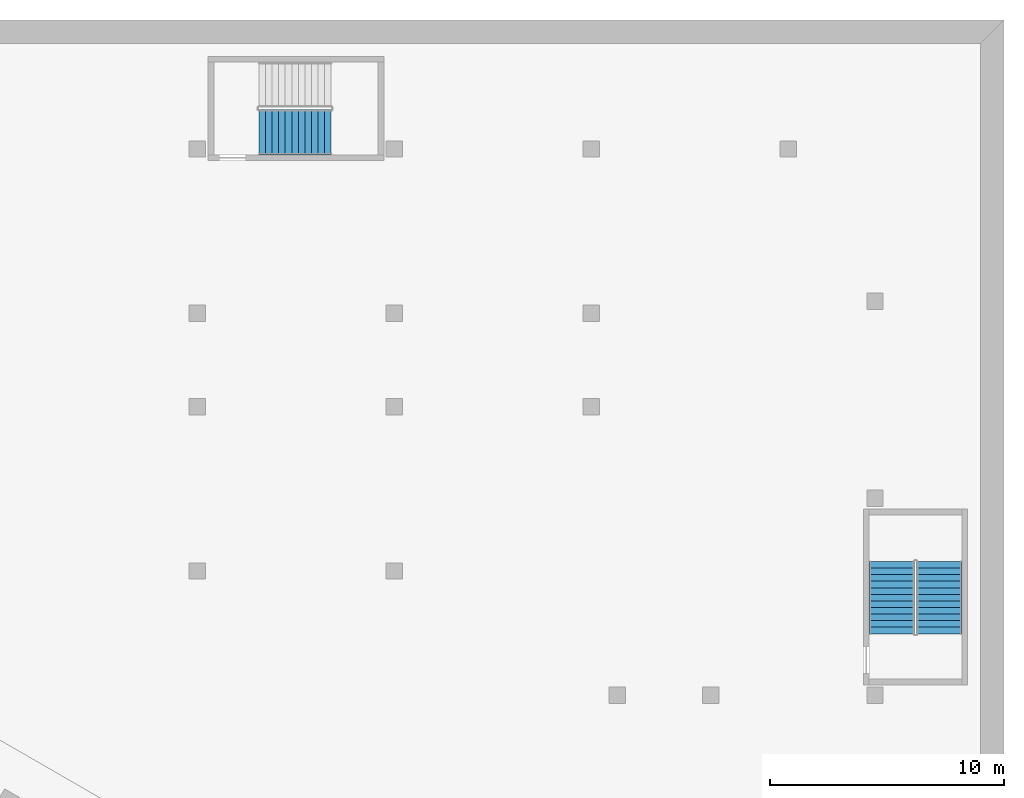
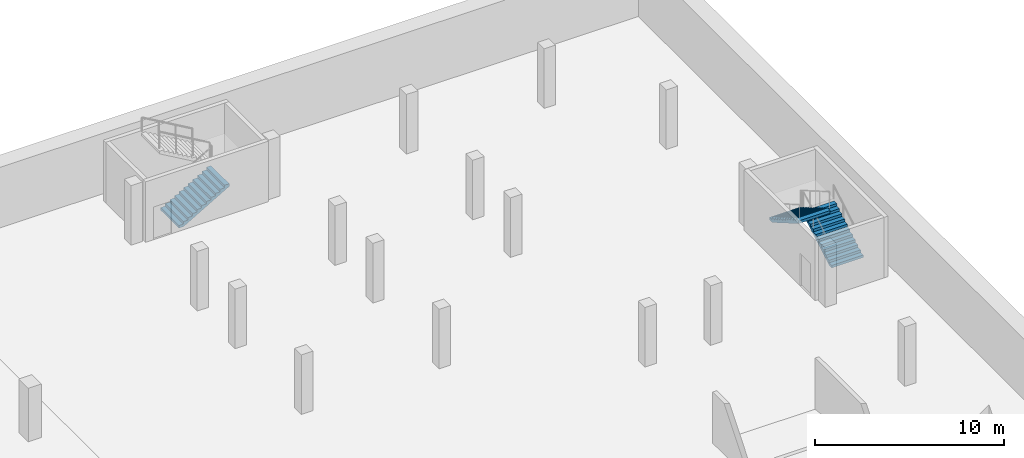
# One storey, part 17 of 25: 3 stair flights, 2 elements without a shape of their own.
"""IFC4 building model written with IfcOpenShell, lengths in metres."""

import ifcopenshell
import ifcopenshell.guid

model = None  # the IFC model being written
_history = None  # IfcOwnerHistory: only IFC2X3 demands one
_inside = {}  # id of a spatial element -> (the spatial element, [elements in it])
_under = {}  # id of a project, library or spatial element -> (it, [spatial elements below it])
_declared = {}  # id of a project -> (the project, [libraries it declares])
_typed = {}  # id of a type object -> (the type object, [elements of that type])
_made_of = {}  # id of a material, layer set ... -> (it, [elements and type objects made of it])


def new_model(schema):
    """Start an empty IFC model of exactly this schema.

    Asked for "IFC4X3", IfcOpenShell would pick the latest addendum, in which some entities
    have other attributes; the version numbers below select the first issue.
    IFC2X3 requires an IfcOwnerHistory on every rooted entity: one is made here for all.
    """
    global model, _history
    if schema == "IFC4X3":
        model = ifcopenshell.file(schema_version=(4, 3, 0, 0))
    else:
        model = ifcopenshell.file(schema=schema)
    _inside.clear()
    _under.clear()
    _declared.clear()
    _typed.clear()
    _made_of.clear()
    _history = None
    if model.schema == "IFC2X3":
        org = make("IfcOrganization", Name="unknown")
        user = make(
            "IfcPersonAndOrganization",
            ThePerson=make("IfcPerson", FamilyName="unknown"),
            TheOrganization=org,
        )
        app = make(
            "IfcApplication",
            ApplicationDeveloper=org,
            Version="unknown",
            ApplicationFullName="unknown",
            ApplicationIdentifier="unknown",
        )
        _history = make(
            "IfcOwnerHistory",
            OwningUser=user,
            OwningApplication=app,
            ChangeAction="ADDED",
            CreationDate=0,
        )
    return model


def make(cls, **values):
    """One entity of the class cls with the attributes given. An attribute that is None is left unset."""
    return model.create_entity(
        cls, **{name: value for name, value in values.items() if value is not None}
    )


def rooted(cls, **values):
    """An entity with a GlobalId (a new one), such as an element, a storey or a relation."""
    return make(cls, GlobalId=ifcopenshell.guid.new(), OwnerHistory=_history, **values)


def si_unit(unit_type, name, prefix=None):
    """IfcSIUnit, for example si_unit("LENGTHUNIT", "METRE", prefix="MILLI")."""
    return make("IfcSIUnit", UnitType=unit_type, Prefix=prefix, Name=name)


def assignment(units):
    """IfcUnitAssignment: the units of a project."""
    return None if units is None else make("IfcUnitAssignment", Units=units)


def point(xyz):
    """IfcCartesianPoint."""
    return None if xyz is None else make("IfcCartesianPoint", Coordinates=xyz)


def direction(xyz):
    """IfcDirection."""
    return None if xyz is None else make("IfcDirection", DirectionRatios=xyz)


def frame(location, z_axis=None, x_axis=None):
    """IfcAxis2Placement3D, a coordinate frame: its origin and axes. An axis left out is left unset."""
    return make(
        "IfcAxis2Placement3D",
        Location=point(location),
        Axis=direction(z_axis),
        RefDirection=direction(x_axis),
    )


def origin():
    """The frame at (0, 0, 0) with its axes left unset."""
    return frame((0.0, 0.0, 0.0))


def place(relative_to, where):
    """IfcLocalPlacement: puts the frame where relative to a parent placement (None: the world)."""
    return make(
        "IfcLocalPlacement", PlacementRelTo=relative_to, RelativePlacement=where
    )


def context(
    kind, dimensions, precision=None, world=None, true_north=None, identifier=None
):
    """IfcGeometricRepresentationContext, for example the 3D "Model" context."""
    return make(
        "IfcGeometricRepresentationContext",
        ContextIdentifier=identifier,
        ContextType=kind,
        CoordinateSpaceDimension=dimensions,
        Precision=precision,
        WorldCoordinateSystem=world,
        TrueNorth=true_north,
    )


def subcontext(parent, identifier, kind, view, scale=None):
    """IfcGeometricRepresentationSubContext, for example "Body" below "Model"."""
    return make(
        "IfcGeometricRepresentationSubContext",
        ContextIdentifier=identifier,
        ContextType=kind,
        ParentContext=parent,
        TargetScale=scale,
        TargetView=view,
    )


def project(units=None, contexts=None):
    """IfcProject with its units and contexts."""
    return rooted(
        "IfcProject",
        Name="project",
        RepresentationContexts=contexts,
        UnitsInContext=assignment(units),
    )


def spatial(cls, under=None, at=None, **own):
    """A site, building, storey or space (cls), placed at a placement, below another one or the project."""
    s = rooted(cls, ObjectPlacement=at, **own)
    if under is not None:
        _under.setdefault(under.id(), (under, []))[1].append(s)
    return s


def point_list(points):
    """IfcCartesianPointList2D or 3D."""
    cls = (
        "IfcCartesianPointList2D" if len(points[0]) == 2 else "IfcCartesianPointList3D"
    )
    return make(cls, CoordList=points)


def triangles(points, corners, closed=None, point_numbers=None):
    """IfcTriangulatedFaceSet: each triangle names its three corners, points numbered from 1."""
    return make(
        "IfcTriangulatedFaceSet",
        Coordinates=point_list(points),
        Closed=closed,
        CoordIndex=corners,
        PnIndex=point_numbers,
    )


def shape(context_of_items, identifier, shape_type, items):
    """IfcShapeRepresentation: the items that make up one representation, for example the "Body"."""
    return make(
        "IfcShapeRepresentation",
        ContextOfItems=context_of_items,
        RepresentationIdentifier=identifier,
        RepresentationType=shape_type,
        Items=items,
    )


def material(Name=None, Category=None):
    """IfcMaterial."""
    return make("IfcMaterial", Name=Name, Category=Category)


def made_of(thing, what):
    """Note that an element or type object is made of a material, layer set ...; save() writes the relation."""
    if what is not None:
        _made_of.setdefault(what.id(), (what, []))[1].append(thing)
    return thing


def type_object(cls, material=None, **own):
    """A type object (cls), such as IfcWallType, which elements share."""
    return made_of(rooted(cls, **own), material)


def element(
    cls,
    number,
    at=None,
    inside=None,
    cuts=None,
    type_object=None,
    material=None,
    context=None,
    identifier="Body",
    shape_type=None,
    held_by="IfcProductDefinitionShape",
    body=None,
    shapes=None,
    **own,
):
    """One element of the class cls, such as IfcWall. Its Tag is "e" and its number.

    at: its placement. inside: the storey or other place that contains it. cuts: it is an
    opening in that element (IfcRelVoidsElement). A single representation is given by context,
    identifier, shape_type and body (its items); several are given by shapes. held_by: the class
    of the entity that holds the representations. save() writes the other relations.
    """
    e = rooted(cls, Tag="e%d" % number, ObjectPlacement=at, **own)
    if body is not None:
        shapes = [shape(context, identifier, shape_type, body)]
    if shapes is not None:
        e.Representation = make(held_by, Representations=shapes)
    if inside is not None:
        _inside.setdefault(inside.id(), (inside, []))[1].append(e)
    if cuts is not None:
        rooted(
            "IfcRelVoidsElement", RelatingBuildingElement=cuts, RelatedOpeningElement=e
        )
    if type_object is not None:
        _typed.setdefault(type_object.id(), (type_object, []))[1].append(e)
    return made_of(e, material)


def aggregate(whole, parts):
    """IfcRelAggregates: a whole, such as a stair, and the parts it consists of."""
    return rooted("IfcRelAggregates", RelatingObject=whole, RelatedObjects=parts)


def save(model, path):
    """Write the relations noted so far, then the file.

    IfcRelAggregates (storeys below a building ...), IfcRelContainedInSpatialStructure (elements
    in a storey), IfcRelDefinesByType, IfcRelAssociatesMaterial and IfcRelDeclares: one each for
    every whole, place, type object, material and project.
    """
    for whole, parts in _under.values():
        aggregate(whole, parts)
    for where, things in _inside.values():
        rooted(
            "IfcRelContainedInSpatialStructure",
            RelatedElements=things,
            RelatingStructure=where,
        )
    for kind, things in _typed.values():
        rooted("IfcRelDefinesByType", RelatedObjects=things, RelatingType=kind)
    for what, things in _made_of.values():
        rooted("IfcRelAssociatesMaterial", RelatedObjects=things, RelatingMaterial=what)
    for by, libraries in _declared.values():
        rooted("IfcRelDeclares", RelatingContext=by, RelatedDefinitions=libraries)
    model.write(path)


model = new_model("IFC4")

# Units and contexts
model_context = context("Model", 3, precision=1e-05, world=origin(), true_north=direction((0.0, 1.0)))
body_context = subcontext(model_context, "Body", "Model", "MODEL_VIEW")
ifc_project = project(units=[si_unit("LENGTHUNIT", "METRE"), si_unit("AREAUNIT", "SQUARE_METRE"), si_unit("VOLUMEUNIT", "CUBIC_METRE"), si_unit("PLANEANGLEUNIT", "RADIAN"), si_unit("MASSUNIT", "GRAM", prefix="KILO")], contexts=[model_context])

# Site, building, storey
site_placement = place(None, origin())
site = spatial("IfcSite", under=ifc_project, at=site_placement, CompositionType="ELEMENT")
building_placement = place(site_placement, origin())
building = spatial("IfcBuilding", under=site, at=building_placement, Name="Verdalira Terraces Hotel", CompositionType="ELEMENT")
storey_placement = place(building_placement, frame((0.0, 0.0, -3.899902)))
storey = spatial("IfcBuildingStorey", under=building, at=storey_placement, Name="B1", CompositionType="ELEMENT", Elevation=-3.89990234375)

# Stair, stair flight
ifc_material_1 = material(Name="Concrete C40", Category="concrete")
stair_type = type_object("IfcStairType", Name="Car park stair 24 risers", PredefinedType="HALF_TURN_STAIR", material=ifc_material_1)
stair_1_placement = place(storey_placement, origin())
stair_1 = element("IfcStair", 1, at=stair_1_placement, inside=storey, type_object=stair_type, Name="B1 Exit stair Basement stair 3", PredefinedType="HALF_TURN_STAIR")
ifc_material_2 = material(Name="Concrete C40", Category="concrete")
stair_flight_type = type_object("IfcStairFlightType", Name="Car park stair flight 24 risers", PredefinedType="STRAIGHT", material=ifc_material_2)
stair_flight_1_placement = place(storey_placement, frame((22.225098, 49.212402, 0.0), z_axis=(0.0, 0.0, 1.0), x_axis=(1.0, 0.0, 0.0)))
stair_flight_1 = element("IfcStairFlight", 2, at=stair_flight_1_placement, type_object=stair_flight_type, Name="Basement stair 3 flight 1", NumberOfRisers=12, NumberOfTreads=11, PredefinedType="STRAIGHT", RiserHeight=0.1625, TreadLength=0.28, context=body_context, shape_type="Tessellation", body=[
    triangles([(0.0, 0.962524, 0.0), (0.298584, 0.962524, 0.0), (3.080078, 0.962524, 1.614258), (0.0, -0.962524, 0.0), (0.298584, -0.962524, 0.0), (3.080078, -0.962524, 1.614258), (3.080078, 0.962524, 1.787598), (2.800049, 0.962524, 1.787598), (3.080078, -0.962524, 1.787598), (2.800049, -0.962524, 1.787598), (2.800049, 0.962524, 1.625), (2.800049, -0.962524, 1.625), (2.52002, 0.962524, 1.625), (2.52002, -0.962524, 1.625), (2.52002, 0.962524, 1.462402), (2.52002, -0.962524, 1.462402), (2.23999, 0.962524, 1.462402), (2.23999, 0.962524, 1.300049), (2.23999, -0.962524, 1.462402), (2.23999, -0.962524, 1.300049), (1.959961, 0.962524, 1.300049), (1.959961, 0.962524, 1.137451), (1.959961, -0.962524, 1.300049), (1.959961, -0.962524, 1.137451), (1.679932, 0.962524, 1.137451), (1.679932, 0.962524, 0.975098), (1.679932, -0.962524, 1.137451), (1.679932, -0.962524, 0.975098), (1.399902, 0.962524, 0.975098), (1.399902, 0.962524, 0.8125), (1.399902, -0.962524, 0.975098), (1.399902, -0.962524, 0.8125), (1.120117, 0.962524, 0.8125), (1.120117, 0.962524, 0.649902), (1.120117, -0.962524, 0.8125), (1.120117, -0.962524, 0.649902), (0.840088, 0.962524, 0.649902), (0.840088, 0.962524, 0.487549), (0.840088, -0.962524, 0.649902), (0.840088, -0.962524, 0.487549), (0.560059, 0.962524, 0.487549), (0.560059, 0.962524, 0.324951), (0.560059, -0.962524, 0.487549), (0.560059, -0.962524, 0.324951), (0.280029, 0.962524, 0.324951), (0.280029, 0.962524, 0.162598), (0.280029, -0.962524, 0.324951), (0.280029, -0.962524, 0.162598), (0.0, 0.962524, 0.162598), (0.0, -0.962524, 0.162598), (0.0, -0.902367, 0.0), (0.0, -0.902367, 0.162598), (0.0, -0.842209, 0.0), (0.0, -0.842209, 0.162598), (0.0, -0.782051, 0.0), (0.0, -0.782051, 0.162598), (0.0, -0.721893, 0.0), (0.0, -0.721893, 0.162598), (0.0, -0.661736, 0.0), (0.0, -0.661736, 0.162598), (0.0, -0.601578, 0.0), (0.0, -0.601578, 0.162598), (0.0, -0.54142, 0.0), (0.0, -0.54142, 0.162598), (0.0, -0.481262, 0.0), (0.0, -0.481262, 0.162598), (0.0, -0.421104, 0.0), (0.0, -0.421104, 0.162598), (0.0, -0.360947, 0.0), (0.0, -0.360947, 0.162598), (0.0, -0.300789, 0.0), (0.0, -0.300789, 0.162598), (0.0, -0.240631, 0.0), (0.0, -0.240631, 0.162598), (0.0, -0.180473, 0.0), (0.0, -0.180473, 0.162598), (0.0, -0.120316, 0.0), (0.0, -0.120316, 0.162598), (0.0, -0.060158, 0.0), (0.0, -0.060158, 0.162598), (0.0, 0.0, 0.0), (0.0, 0.0, 0.162598), (0.0, 0.060158, 0.0), (0.0, 0.060158, 0.162598), (0.0, 0.120316, 0.0), (0.0, 0.120316, 0.162598), (0.0, 0.180473, 0.0), (0.0, 0.180473, 0.162598), (0.0, 0.240631, 0.0), (0.0, 0.240631, 0.162598), (0.0, 0.300789, 0.0), (0.0, 0.300789, 0.162598), (0.0, 0.360947, 0.0), (0.0, 0.360947, 0.162598), (0.0, 0.421104, 0.0), (0.0, 0.421104, 0.162598), (0.0, 0.481262, 0.0), (0.0, 0.481262, 0.162598), (0.0, 0.54142, 0.0), (0.0, 0.54142, 0.162598), (0.0, 0.601578, 0.0), (0.0, 0.601578, 0.162598), (0.0, 0.661736, 0.0), (0.0, 0.661736, 0.162598), (0.0, 0.721893, 0.0), (0.0, 0.721893, 0.162598), (0.0, 0.782051, 0.0), (0.0, 0.782051, 0.162598), (0.0, 0.842209, 0.0), (0.0, 0.842209, 0.162598), (0.0, 0.902367, 0.0), (0.0, 0.902367, 0.162598), (3.080078, -0.902367, 1.787598), (3.080078, -0.842209, 1.787598), (3.080078, -0.782051, 1.787598), (3.080078, -0.721893, 1.787598), (3.080078, -0.661736, 1.787598), (3.080078, -0.601578, 1.787598), (3.080078, -0.54142, 1.787598), (3.080078, -0.481262, 1.787598), (3.080078, -0.421104, 1.787598), (3.080078, -0.360947, 1.787598), (3.080078, -0.300789, 1.787598), (3.080078, -0.240631, 1.787598), (3.080078, -0.180473, 1.787598), (3.080078, -0.120316, 1.787598), (3.080078, -0.060158, 1.787598), (3.080078, 0.0, 1.787598), (3.080078, 0.060158, 1.787598), (3.080078, 0.120316, 1.787598), (3.080078, 0.180473, 1.787598), (3.080078, 0.240631, 1.787598), (3.080078, 0.300789, 1.787598), (3.080078, 0.360947, 1.787598), (3.080078, 0.421104, 1.787598), (3.080078, 0.481262, 1.787598), (3.080078, 0.54142, 1.787598), (3.080078, 0.601578, 1.787598), (3.080078, 0.661736, 1.787598), (3.080078, 0.721893, 1.787598), (3.080078, 0.782051, 1.787598), (3.080078, 0.842209, 1.787598), (3.080078, 0.902367, 1.787598), (3.080078, -0.902367, 1.614258), (3.080078, -0.842209, 1.614258), (3.080078, -0.782051, 1.614258), (3.080078, -0.721893, 1.614258), (3.080078, -0.661736, 1.614258), (3.080078, -0.601578, 1.614258), (3.080078, -0.54142, 1.614258), (3.080078, -0.481262, 1.614258), (3.080078, -0.421104, 1.614258), (3.080078, -0.360947, 1.614258), (3.080078, -0.300789, 1.614258), (3.080078, -0.240631, 1.614258), (3.080078, -0.180473, 1.614258), (3.080078, -0.120316, 1.614258), (3.080078, -0.060158, 1.614258), (3.080078, 0.0, 1.614258), (3.080078, 0.060158, 1.614258), (3.080078, 0.120316, 1.614258), (3.080078, 0.180473, 1.614258), (3.080078, 0.240631, 1.614258), (3.080078, 0.300789, 1.614258), (3.080078, 0.360947, 1.614258), (3.080078, 0.421104, 1.614258), (3.080078, 0.481262, 1.614258), (3.080078, 0.54142, 1.614258), (3.080078, 0.601578, 1.614258), (3.080078, 0.661736, 1.614258), (3.080078, 0.721893, 1.614258), (3.080078, 0.782051, 1.614258), (3.080078, 0.842209, 1.614258), (3.080078, 0.902367, 1.614258)], [[1, 3, 2], [4, 5, 6], [3, 8, 7], [6, 9, 10], [3, 11, 8], [6, 10, 12], [3, 13, 11], [6, 12, 14], [3, 15, 13], [6, 14, 16], [15, 18, 17], [16, 19, 20], [3, 18, 15], [6, 16, 20], [18, 22, 21], [20, 23, 24], [3, 22, 18], [6, 20, 24], [22, 26, 25], [24, 27, 28], [3, 26, 22], [6, 24, 28], [26, 30, 29], [28, 31, 32], [3, 30, 26], [6, 28, 32], [30, 34, 33], [32, 35, 36], [3, 34, 30], [6, 32, 36], [34, 38, 37], [36, 39, 40], [3, 38, 34], [6, 36, 40], [38, 42, 41], [40, 43, 44], [3, 42, 38], [6, 40, 44], [1, 42, 3], [4, 6, 44], [42, 46, 45], [44, 47, 48], [1, 46, 42], [4, 44, 48], [46, 1, 49], [48, 50, 4], [4, 52, 51], [4, 50, 52], [51, 54, 53], [51, 52, 54], [53, 56, 55], [53, 54, 56], [55, 58, 57], [55, 56, 58], [57, 60, 59], [57, 58, 60], [59, 62, 61], [59, 60, 62], [61, 64, 63], [61, 62, 64], [63, 66, 65], [63, 64, 66], [65, 68, 67], [65, 66, 68], [67, 70, 69], [67, 68, 70], [69, 72, 71], [69, 70, 72], [71, 74, 73], [71, 72, 74], [73, 76, 75], [73, 74, 76], [75, 78, 77], [75, 76, 78], [77, 80, 79], [77, 78, 80], [79, 82, 81], [79, 80, 82], [81, 84, 83], [81, 82, 84], [83, 86, 85], [83, 84, 86], [85, 88, 87], [85, 86, 88], [87, 90, 89], [87, 88, 90], [89, 92, 91], [89, 90, 92], [91, 94, 93], [91, 92, 94], [93, 96, 95], [93, 94, 96], [95, 98, 97], [95, 96, 98], [97, 100, 99], [97, 98, 100], [99, 102, 101], [99, 100, 102], [101, 104, 103], [101, 102, 104], [103, 106, 105], [103, 104, 106], [105, 108, 107], [105, 106, 108], [107, 110, 109], [107, 108, 110], [109, 112, 111], [109, 110, 112], [111, 49, 1], [111, 112, 49], [50, 48, 52], [52, 48, 54], [54, 48, 56], [56, 48, 58], [58, 48, 60], [60, 48, 62], [62, 48, 64], [64, 48, 66], [66, 48, 68], [68, 48, 70], [70, 48, 72], [72, 48, 74], [74, 48, 76], [76, 48, 78], [78, 48, 80], [80, 48, 82], [82, 48, 84], [84, 48, 86], [86, 48, 88], [88, 48, 90], [90, 48, 92], [92, 48, 94], [94, 48, 96], [96, 48, 98], [98, 48, 100], [100, 48, 102], [102, 48, 104], [104, 48, 106], [106, 48, 108], [108, 48, 110], [110, 48, 112], [112, 48, 49], [49, 48, 46], [48, 45, 46], [48, 47, 45], [47, 42, 45], [47, 44, 42], [44, 41, 42], [44, 43, 41], [43, 38, 41], [43, 40, 38], [40, 37, 38], [40, 39, 37], [39, 34, 37], [39, 36, 34], [36, 33, 34], [36, 35, 33], [35, 30, 33], [35, 32, 30], [32, 29, 30], [32, 31, 29], [31, 26, 29], [31, 28, 26], [28, 25, 26], [28, 27, 25], [27, 22, 25], [27, 24, 22], [24, 21, 22], [24, 23, 21], [23, 18, 21], [23, 20, 18], [20, 17, 18], [20, 19, 17], [19, 15, 17], [19, 16, 15], [16, 13, 15], [16, 14, 13], [14, 11, 13], [14, 12, 11], [12, 8, 11], [12, 10, 8], [9, 113, 10], [113, 114, 10], [114, 115, 10], [115, 116, 10], [116, 117, 10], [117, 118, 10], [118, 119, 10], [119, 120, 10], [120, 121, 10], [121, 122, 10], [122, 123, 10], [123, 124, 10], [124, 125, 10], [125, 126, 10], [126, 127, 10], [127, 128, 10], [128, 129, 10], [129, 130, 10], [130, 131, 10], [131, 132, 10], [132, 133, 10], [133, 134, 10], [134, 135, 10], [135, 136, 10], [136, 137, 10], [137, 138, 10], [138, 139, 10], [139, 140, 10], [140, 141, 10], [141, 142, 10], [142, 143, 10], [143, 7, 10], [7, 8, 10], [9, 144, 113], [9, 6, 144], [113, 145, 114], [113, 144, 145], [114, 146, 115], [114, 145, 146], [115, 147, 116], [115, 146, 147], [116, 148, 117], [116, 147, 148], [117, 149, 118], [117, 148, 149], [118, 150, 119], [118, 149, 150], [119, 151, 120], [119, 150, 151], [120, 152, 121], [120, 151, 152], [121, 153, 122], [121, 152, 153], [122, 154, 123], [122, 153, 154], [123, 155, 124], [123, 154, 155], [124, 156, 125], [124, 155, 156], [125, 157, 126], [125, 156, 157], [126, 158, 127], [126, 157, 158], [127, 159, 128], [127, 158, 159], [128, 160, 129], [128, 159, 160], [129, 161, 130], [129, 160, 161], [130, 162, 131], [130, 161, 162], [131, 163, 132], [131, 162, 163], [132, 164, 133], [132, 163, 164], [133, 165, 134], [133, 164, 165], [134, 166, 135], [134, 165, 166], [135, 167, 136], [135, 166, 167], [136, 168, 137], [136, 167, 168], [137, 169, 138], [137, 168, 169], [138, 170, 139], [138, 169, 170], [139, 171, 140], [139, 170, 171], [140, 172, 141], [140, 171, 172], [141, 173, 142], [141, 172, 173], [142, 174, 143], [142, 173, 174], [143, 3, 7], [143, 174, 3], [6, 5, 144], [144, 5, 145], [145, 5, 146], [146, 5, 147], [147, 5, 148], [148, 5, 149], [149, 5, 150], [150, 5, 151], [151, 5, 152], [152, 5, 153], [153, 5, 154], [154, 5, 155], [155, 5, 156], [156, 5, 157], [157, 5, 158], [158, 5, 159], [159, 5, 160], [160, 5, 161], [161, 5, 162], [162, 5, 163], [163, 5, 164], [164, 5, 165], [165, 5, 166], [166, 5, 167], [167, 5, 168], [168, 5, 169], [169, 5, 170], [170, 5, 171], [171, 5, 172], [172, 5, 173], [173, 5, 174], [174, 5, 3], [3, 5, 2], [4, 51, 5], [51, 53, 5], [53, 55, 5], [55, 57, 5], [57, 59, 5], [59, 61, 5], [61, 63, 5], [63, 65, 5], [65, 67, 5], [67, 69, 5], [69, 71, 5], [71, 73, 5], [73, 75, 5], [75, 77, 5], [77, 79, 5], [79, 81, 5], [81, 83, 5], [83, 85, 5], [85, 87, 5], [87, 89, 5], [89, 91, 5], [91, 93, 5], [93, 95, 5], [95, 97, 5], [97, 99, 5], [99, 101, 5], [101, 103, 5], [103, 105, 5], [105, 107, 5], [107, 109, 5], [109, 111, 5], [111, 1, 5], [1, 2, 5]], closed=True),
])
aggregate(stair_1, [stair_flight_1])

# Stair, stair flights
stair_2_placement = place(storey_placement, origin())
stair_2 = element("IfcStair", 3, at=stair_2_placement, inside=storey, type_object=stair_type, Name="B1 Exit stair Basement stair 5", PredefinedType="HALF_TURN_STAIR")
stair_flight_2_placement = place(storey_placement, frame((51.237549, 27.824951, 0.0), z_axis=(0.0, 0.0, 1.0), x_axis=(0.0, 1.0, 0.0)))
stair_flight_2 = element("IfcStairFlight", 4, at=stair_flight_2_placement, type_object=stair_flight_type, Name="Basement stair 5 flight 1", NumberOfRisers=12, NumberOfTreads=11, PredefinedType="STRAIGHT", RiserHeight=0.1625, TreadLength=0.28, context=body_context, shape_type="Tessellation", body=[
    triangles([(0.0, 0.962524, 0.0), (0.298584, 0.962524, 0.0), (3.080078, 0.962524, 1.614258), (0.0, -0.962524, 0.0), (0.298584, -0.962524, 0.0), (3.080078, -0.962524, 1.614258), (3.080078, 0.962524, 1.787598), (2.800049, 0.962524, 1.787598), (3.080078, -0.962524, 1.787598), (2.800049, -0.962524, 1.787598), (2.800049, 0.962524, 1.625), (2.800049, -0.962524, 1.625), (2.52002, 0.962524, 1.625), (2.52002, -0.962524, 1.625), (2.52002, 0.962524, 1.462402), (2.52002, -0.962524, 1.462402), (2.23999, 0.962524, 1.462402), (2.23999, 0.962524, 1.300049), (2.23999, -0.962524, 1.462402), (2.23999, -0.962524, 1.300049), (1.959961, 0.962524, 1.300049), (1.959961, 0.962524, 1.137451), (1.959961, -0.962524, 1.300049), (1.959961, -0.962524, 1.137451), (1.679932, 0.962524, 1.137451), (1.679932, 0.962524, 0.975098), (1.679932, -0.962524, 1.137451), (1.679932, -0.962524, 0.975098), (1.399902, 0.962524, 0.975098), (1.399902, 0.962524, 0.8125), (1.399902, -0.962524, 0.975098), (1.399902, -0.962524, 0.8125), (1.120117, 0.962524, 0.8125), (1.120117, 0.962524, 0.649902), (1.120117, -0.962524, 0.8125), (1.120117, -0.962524, 0.649902), (0.840088, 0.962524, 0.649902), (0.840088, 0.962524, 0.487549), (0.840088, -0.962524, 0.649902), (0.840088, -0.962524, 0.487549), (0.560059, 0.962524, 0.487549), (0.560059, 0.962524, 0.324951), (0.560059, -0.962524, 0.487549), (0.560059, -0.962524, 0.324951), (0.280029, 0.962524, 0.324951), (0.280029, 0.962524, 0.162598), (0.280029, -0.962524, 0.324951), (0.280029, -0.962524, 0.162598), (0.0, 0.962524, 0.162598), (0.0, -0.962524, 0.162598), (0.0, -0.902367, 0.0), (0.0, -0.902367, 0.162598), (0.0, -0.842209, 0.0), (0.0, -0.842209, 0.162598), (0.0, -0.782051, 0.0), (0.0, -0.782051, 0.162598), (0.0, -0.721893, 0.0), (0.0, -0.721893, 0.162598), (0.0, -0.661736, 0.0), (0.0, -0.661736, 0.162598), (0.0, -0.601578, 0.0), (0.0, -0.601578, 0.162598), (0.0, -0.54142, 0.0), (0.0, -0.54142, 0.162598), (0.0, -0.481262, 0.0), (0.0, -0.481262, 0.162598), (0.0, -0.421104, 0.0), (0.0, -0.421104, 0.162598), (0.0, -0.360947, 0.0), (0.0, -0.360947, 0.162598), (0.0, -0.300789, 0.0), (0.0, -0.300789, 0.162598), (0.0, -0.240631, 0.0), (0.0, -0.240631, 0.162598), (0.0, -0.180473, 0.0), (0.0, -0.180473, 0.162598), (0.0, -0.120316, 0.0), (0.0, -0.120316, 0.162598), (0.0, -0.060158, 0.0), (0.0, -0.060158, 0.162598), (0.0, 0.0, 0.0), (0.0, 0.0, 0.162598), (0.0, 0.060158, 0.0), (0.0, 0.060158, 0.162598), (0.0, 0.120316, 0.0), (0.0, 0.120316, 0.162598), (0.0, 0.180473, 0.0), (0.0, 0.180473, 0.162598), (0.0, 0.240631, 0.0), (0.0, 0.240631, 0.162598), (0.0, 0.300789, 0.0), (0.0, 0.300789, 0.162598), (0.0, 0.360947, 0.0), (0.0, 0.360947, 0.162598), (0.0, 0.421104, 0.0), (0.0, 0.421104, 0.162598), (0.0, 0.481262, 0.0), (0.0, 0.481262, 0.162598), (0.0, 0.54142, 0.0), (0.0, 0.54142, 0.162598), (0.0, 0.601578, 0.0), (0.0, 0.601578, 0.162598), (0.0, 0.661736, 0.0), (0.0, 0.661736, 0.162598), (0.0, 0.721893, 0.0), (0.0, 0.721893, 0.162598), (0.0, 0.782051, 0.0), (0.0, 0.782051, 0.162598), (0.0, 0.842209, 0.0), (0.0, 0.842209, 0.162598), (0.0, 0.902367, 0.0), (0.0, 0.902367, 0.162598), (3.080078, -0.902367, 1.787598), (3.080078, -0.842209, 1.787598), (3.080078, -0.782051, 1.787598), (3.080078, -0.721893, 1.787598), (3.080078, -0.661736, 1.787598), (3.080078, -0.601578, 1.787598), (3.080078, -0.54142, 1.787598), (3.080078, -0.481262, 1.787598), (3.080078, -0.421104, 1.787598), (3.080078, -0.360947, 1.787598), (3.080078, -0.300789, 1.787598), (3.080078, -0.240631, 1.787598), (3.080078, -0.180473, 1.787598), (3.080078, -0.120316, 1.787598), (3.080078, -0.060158, 1.787598), (3.080078, 0.0, 1.787598), (3.080078, 0.060158, 1.787598), (3.080078, 0.120316, 1.787598), (3.080078, 0.180473, 1.787598), (3.080078, 0.240631, 1.787598), (3.080078, 0.300789, 1.787598), (3.080078, 0.360947, 1.787598), (3.080078, 0.421104, 1.787598), (3.080078, 0.481262, 1.787598), (3.080078, 0.54142, 1.787598), (3.080078, 0.601578, 1.787598), (3.080078, 0.661736, 1.787598), (3.080078, 0.721893, 1.787598), (3.080078, 0.782051, 1.787598), (3.080078, 0.842209, 1.787598), (3.080078, 0.902367, 1.787598), (3.080078, -0.902367, 1.614258), (3.080078, -0.842209, 1.614258), (3.080078, -0.782051, 1.614258), (3.080078, -0.721893, 1.614258), (3.080078, -0.661736, 1.614258), (3.080078, -0.601578, 1.614258), (3.080078, -0.54142, 1.614258), (3.080078, -0.481262, 1.614258), (3.080078, -0.421104, 1.614258), (3.080078, -0.360947, 1.614258), (3.080078, -0.300789, 1.614258), (3.080078, -0.240631, 1.614258), (3.080078, -0.180473, 1.614258), (3.080078, -0.120316, 1.614258), (3.080078, -0.060158, 1.614258), (3.080078, 0.0, 1.614258), (3.080078, 0.060158, 1.614258), (3.080078, 0.120316, 1.614258), (3.080078, 0.180473, 1.614258), (3.080078, 0.240631, 1.614258), (3.080078, 0.300789, 1.614258), (3.080078, 0.360947, 1.614258), (3.080078, 0.421104, 1.614258), (3.080078, 0.481262, 1.614258), (3.080078, 0.54142, 1.614258), (3.080078, 0.601578, 1.614258), (3.080078, 0.661736, 1.614258), (3.080078, 0.721893, 1.614258), (3.080078, 0.782051, 1.614258), (3.080078, 0.842209, 1.614258), (3.080078, 0.902367, 1.614258)], [[1, 3, 2], [4, 5, 6], [3, 8, 7], [6, 9, 10], [3, 11, 8], [6, 10, 12], [3, 13, 11], [6, 12, 14], [3, 15, 13], [6, 14, 16], [15, 18, 17], [16, 19, 20], [3, 18, 15], [6, 16, 20], [18, 22, 21], [20, 23, 24], [3, 22, 18], [6, 20, 24], [22, 26, 25], [24, 27, 28], [3, 26, 22], [6, 24, 28], [26, 30, 29], [28, 31, 32], [3, 30, 26], [6, 28, 32], [30, 34, 33], [32, 35, 36], [3, 34, 30], [6, 32, 36], [34, 38, 37], [36, 39, 40], [3, 38, 34], [6, 36, 40], [38, 42, 41], [40, 43, 44], [3, 42, 38], [6, 40, 44], [1, 42, 3], [4, 6, 44], [42, 46, 45], [44, 47, 48], [1, 46, 42], [4, 44, 48], [46, 1, 49], [48, 50, 4], [4, 52, 51], [4, 50, 52], [51, 54, 53], [51, 52, 54], [53, 56, 55], [53, 54, 56], [55, 58, 57], [55, 56, 58], [57, 60, 59], [57, 58, 60], [59, 62, 61], [59, 60, 62], [61, 64, 63], [61, 62, 64], [63, 66, 65], [63, 64, 66], [65, 68, 67], [65, 66, 68], [67, 70, 69], [67, 68, 70], [69, 72, 71], [69, 70, 72], [71, 74, 73], [71, 72, 74], [73, 76, 75], [73, 74, 76], [75, 78, 77], [75, 76, 78], [77, 80, 79], [77, 78, 80], [79, 82, 81], [79, 80, 82], [81, 84, 83], [81, 82, 84], [83, 86, 85], [83, 84, 86], [85, 88, 87], [85, 86, 88], [87, 90, 89], [87, 88, 90], [89, 92, 91], [89, 90, 92], [91, 94, 93], [91, 92, 94], [93, 96, 95], [93, 94, 96], [95, 98, 97], [95, 96, 98], [97, 100, 99], [97, 98, 100], [99, 102, 101], [99, 100, 102], [101, 104, 103], [101, 102, 104], [103, 106, 105], [103, 104, 106], [105, 108, 107], [105, 106, 108], [107, 110, 109], [107, 108, 110], [109, 112, 111], [109, 110, 112], [111, 49, 1], [111, 112, 49], [50, 48, 52], [52, 48, 54], [54, 48, 56], [56, 48, 58], [58, 48, 60], [60, 48, 62], [62, 48, 64], [64, 48, 66], [66, 48, 68], [68, 48, 70], [70, 48, 72], [72, 48, 74], [74, 48, 76], [76, 48, 78], [78, 48, 80], [80, 48, 82], [82, 48, 84], [84, 48, 86], [86, 48, 88], [88, 48, 90], [90, 48, 92], [92, 48, 94], [94, 48, 96], [96, 48, 98], [98, 48, 100], [100, 48, 102], [102, 48, 104], [104, 48, 106], [106, 48, 108], [108, 48, 110], [110, 48, 112], [112, 48, 49], [49, 48, 46], [48, 45, 46], [48, 47, 45], [47, 42, 45], [47, 44, 42], [44, 41, 42], [44, 43, 41], [43, 38, 41], [43, 40, 38], [40, 37, 38], [40, 39, 37], [39, 34, 37], [39, 36, 34], [36, 33, 34], [36, 35, 33], [35, 30, 33], [35, 32, 30], [32, 29, 30], [32, 31, 29], [31, 26, 29], [31, 28, 26], [28, 25, 26], [28, 27, 25], [27, 22, 25], [27, 24, 22], [24, 21, 22], [24, 23, 21], [23, 18, 21], [23, 20, 18], [20, 17, 18], [20, 19, 17], [19, 15, 17], [19, 16, 15], [16, 13, 15], [16, 14, 13], [14, 11, 13], [14, 12, 11], [12, 8, 11], [12, 10, 8], [9, 113, 10], [113, 114, 10], [114, 115, 10], [115, 116, 10], [116, 117, 10], [117, 118, 10], [118, 119, 10], [119, 120, 10], [120, 121, 10], [121, 122, 10], [122, 123, 10], [123, 124, 10], [124, 125, 10], [125, 126, 10], [126, 127, 10], [127, 128, 10], [128, 129, 10], [129, 130, 10], [130, 131, 10], [131, 132, 10], [132, 133, 10], [133, 134, 10], [134, 135, 10], [135, 136, 10], [136, 137, 10], [137, 138, 10], [138, 139, 10], [139, 140, 10], [140, 141, 10], [141, 142, 10], [142, 143, 10], [143, 7, 10], [7, 8, 10], [9, 144, 113], [9, 6, 144], [113, 145, 114], [113, 144, 145], [114, 146, 115], [114, 145, 146], [115, 147, 116], [115, 146, 147], [116, 148, 117], [116, 147, 148], [117, 149, 118], [117, 148, 149], [118, 150, 119], [118, 149, 150], [119, 151, 120], [119, 150, 151], [120, 152, 121], [120, 151, 152], [121, 153, 122], [121, 152, 153], [122, 154, 123], [122, 153, 154], [123, 155, 124], [123, 154, 155], [124, 156, 125], [124, 155, 156], [125, 157, 126], [125, 156, 157], [126, 158, 127], [126, 157, 158], [127, 159, 128], [127, 158, 159], [128, 160, 129], [128, 159, 160], [129, 161, 130], [129, 160, 161], [130, 162, 131], [130, 161, 162], [131, 163, 132], [131, 162, 163], [132, 164, 133], [132, 163, 164], [133, 165, 134], [133, 164, 165], [134, 166, 135], [134, 165, 166], [135, 167, 136], [135, 166, 167], [136, 168, 137], [136, 167, 168], [137, 169, 138], [137, 168, 169], [138, 170, 139], [138, 169, 170], [139, 171, 140], [139, 170, 171], [140, 172, 141], [140, 171, 172], [141, 173, 142], [141, 172, 173], [142, 174, 143], [142, 173, 174], [143, 3, 7], [143, 174, 3], [6, 5, 144], [144, 5, 145], [145, 5, 146], [146, 5, 147], [147, 5, 148], [148, 5, 149], [149, 5, 150], [150, 5, 151], [151, 5, 152], [152, 5, 153], [153, 5, 154], [154, 5, 155], [155, 5, 156], [156, 5, 157], [157, 5, 158], [158, 5, 159], [159, 5, 160], [160, 5, 161], [161, 5, 162], [162, 5, 163], [163, 5, 164], [164, 5, 165], [165, 5, 166], [166, 5, 167], [167, 5, 168], [168, 5, 169], [169, 5, 170], [170, 5, 171], [171, 5, 172], [172, 5, 173], [173, 5, 174], [174, 5, 3], [3, 5, 2], [4, 51, 5], [51, 53, 5], [53, 55, 5], [55, 57, 5], [57, 59, 5], [59, 61, 5], [61, 63, 5], [63, 65, 5], [65, 67, 5], [67, 69, 5], [69, 71, 5], [71, 73, 5], [73, 75, 5], [75, 77, 5], [77, 79, 5], [79, 81, 5], [81, 83, 5], [83, 85, 5], [85, 87, 5], [87, 89, 5], [89, 91, 5], [91, 93, 5], [93, 95, 5], [95, 97, 5], [97, 99, 5], [99, 101, 5], [101, 103, 5], [103, 105, 5], [105, 107, 5], [107, 109, 5], [109, 111, 5], [111, 1, 5], [1, 2, 5]], closed=True),
])
stair_flight_3_placement = place(storey_placement, frame((49.212402, 30.905029, 1.949951), z_axis=(0.0, 0.0, 1.0), x_axis=(0.0, -1.0, 0.0)))
stair_flight_3 = element("IfcStairFlight", 5, at=stair_flight_3_placement, type_object=stair_flight_type, Name="Basement stair 5 flight 2", NumberOfRisers=12, NumberOfTreads=11, PredefinedType="STRAIGHT", RiserHeight=0.1625, TreadLength=0.28, context=body_context, shape_type="Tessellation", body=[
    triangles([(0.0, 0.962524, 0.0), (0.298584, 0.962524, 0.0), (3.080078, 0.962524, 1.614258), (0.0, -0.962524, 0.0), (0.298584, -0.962524, 0.0), (3.080078, -0.962524, 1.614258), (3.080078, 0.962524, 1.787598), (2.800049, 0.962524, 1.787598), (3.080078, -0.962524, 1.787598), (2.800049, -0.962524, 1.787598), (2.800049, 0.962524, 1.625), (2.800049, -0.962524, 1.625), (2.52002, 0.962524, 1.625), (2.52002, -0.962524, 1.625), (2.52002, 0.962524, 1.462402), (2.52002, -0.962524, 1.462402), (2.23999, 0.962524, 1.462402), (2.23999, 0.962524, 1.300049), (2.23999, -0.962524, 1.462402), (2.23999, -0.962524, 1.300049), (1.959961, 0.962524, 1.300049), (1.959961, 0.962524, 1.137451), (1.959961, -0.962524, 1.300049), (1.959961, -0.962524, 1.137451), (1.679932, 0.962524, 1.137451), (1.679932, 0.962524, 0.975098), (1.679932, -0.962524, 1.137451), (1.679932, -0.962524, 0.975098), (1.399902, 0.962524, 0.975098), (1.399902, 0.962524, 0.8125), (1.399902, -0.962524, 0.975098), (1.399902, -0.962524, 0.8125), (1.120117, 0.962524, 0.8125), (1.120117, 0.962524, 0.649902), (1.120117, -0.962524, 0.8125), (1.120117, -0.962524, 0.649902), (0.840088, 0.962524, 0.649902), (0.840088, 0.962524, 0.487549), (0.840088, -0.962524, 0.649902), (0.840088, -0.962524, 0.487549), (0.560059, 0.962524, 0.487549), (0.560059, 0.962524, 0.324951), (0.560059, -0.962524, 0.487549), (0.560059, -0.962524, 0.324951), (0.280029, 0.962524, 0.324951), (0.280029, 0.962524, 0.162598), (0.280029, -0.962524, 0.324951), (0.280029, -0.962524, 0.162598), (0.0, 0.962524, 0.162598), (0.0, -0.962524, 0.162598), (0.0, -0.902367, 0.0), (0.0, -0.902367, 0.162598), (0.0, -0.842209, 0.0), (0.0, -0.842209, 0.162598), (0.0, -0.782051, 0.0), (0.0, -0.782051, 0.162598), (0.0, -0.721893, 0.0), (0.0, -0.721893, 0.162598), (0.0, -0.661736, 0.0), (0.0, -0.661736, 0.162598), (0.0, -0.601578, 0.0), (0.0, -0.601578, 0.162598), (0.0, -0.54142, 0.0), (0.0, -0.54142, 0.162598), (0.0, -0.481262, 0.0), (0.0, -0.481262, 0.162598), (0.0, -0.421104, 0.0), (0.0, -0.421104, 0.162598), (0.0, -0.360947, 0.0), (0.0, -0.360947, 0.162598), (0.0, -0.300789, 0.0), (0.0, -0.300789, 0.162598), (0.0, -0.240631, 0.0), (0.0, -0.240631, 0.162598), (0.0, -0.180473, 0.0), (0.0, -0.180473, 0.162598), (0.0, -0.120316, 0.0), (0.0, -0.120316, 0.162598), (0.0, -0.060158, 0.0), (0.0, -0.060158, 0.162598), (0.0, 0.0, 0.0), (0.0, 0.0, 0.162598), (0.0, 0.060158, 0.0), (0.0, 0.060158, 0.162598), (0.0, 0.120316, 0.0), (0.0, 0.120316, 0.162598), (0.0, 0.180473, 0.0), (0.0, 0.180473, 0.162598), (0.0, 0.240631, 0.0), (0.0, 0.240631, 0.162598), (0.0, 0.300789, 0.0), (0.0, 0.300789, 0.162598), (0.0, 0.360947, 0.0), (0.0, 0.360947, 0.162598), (0.0, 0.421104, 0.0), (0.0, 0.421104, 0.162598), (0.0, 0.481262, 0.0), (0.0, 0.481262, 0.162598), (0.0, 0.54142, 0.0), (0.0, 0.54142, 0.162598), (0.0, 0.601578, 0.0), (0.0, 0.601578, 0.162598), (0.0, 0.661736, 0.0), (0.0, 0.661736, 0.162598), (0.0, 0.721893, 0.0), (0.0, 0.721893, 0.162598), (0.0, 0.782051, 0.0), (0.0, 0.782051, 0.162598), (0.0, 0.842209, 0.0), (0.0, 0.842209, 0.162598), (0.0, 0.902367, 0.0), (0.0, 0.902367, 0.162598), (3.080078, -0.902367, 1.787598), (3.080078, -0.842209, 1.787598), (3.080078, -0.782051, 1.787598), (3.080078, -0.721893, 1.787598), (3.080078, -0.661736, 1.787598), (3.080078, -0.601578, 1.787598), (3.080078, -0.54142, 1.787598), (3.080078, -0.481262, 1.787598), (3.080078, -0.421104, 1.787598), (3.080078, -0.360947, 1.787598), (3.080078, -0.300789, 1.787598), (3.080078, -0.240631, 1.787598), (3.080078, -0.180473, 1.787598), (3.080078, -0.120316, 1.787598), (3.080078, -0.060158, 1.787598), (3.080078, 0.0, 1.787598), (3.080078, 0.060158, 1.787598), (3.080078, 0.120316, 1.787598), (3.080078, 0.180473, 1.787598), (3.080078, 0.240631, 1.787598), (3.080078, 0.300789, 1.787598), (3.080078, 0.360947, 1.787598), (3.080078, 0.421104, 1.787598), (3.080078, 0.481262, 1.787598), (3.080078, 0.54142, 1.787598), (3.080078, 0.601578, 1.787598), (3.080078, 0.661736, 1.787598), (3.080078, 0.721893, 1.787598), (3.080078, 0.782051, 1.787598), (3.080078, 0.842209, 1.787598), (3.080078, 0.902367, 1.787598), (3.080078, -0.902367, 1.614258), (3.080078, -0.842209, 1.614258), (3.080078, -0.782051, 1.614258), (3.080078, -0.721893, 1.614258), (3.080078, -0.661736, 1.614258), (3.080078, -0.601578, 1.614258), (3.080078, -0.54142, 1.614258), (3.080078, -0.481262, 1.614258), (3.080078, -0.421104, 1.614258), (3.080078, -0.360947, 1.614258), (3.080078, -0.300789, 1.614258), (3.080078, -0.240631, 1.614258), (3.080078, -0.180473, 1.614258), (3.080078, -0.120316, 1.614258), (3.080078, -0.060158, 1.614258), (3.080078, 0.0, 1.614258), (3.080078, 0.060158, 1.614258), (3.080078, 0.120316, 1.614258), (3.080078, 0.180473, 1.614258), (3.080078, 0.240631, 1.614258), (3.080078, 0.300789, 1.614258), (3.080078, 0.360947, 1.614258), (3.080078, 0.421104, 1.614258), (3.080078, 0.481262, 1.614258), (3.080078, 0.54142, 1.614258), (3.080078, 0.601578, 1.614258), (3.080078, 0.661736, 1.614258), (3.080078, 0.721893, 1.614258), (3.080078, 0.782051, 1.614258), (3.080078, 0.842209, 1.614258), (3.080078, 0.902367, 1.614258)], [[1, 3, 2], [4, 5, 6], [3, 8, 7], [6, 9, 10], [3, 11, 8], [6, 10, 12], [3, 13, 11], [6, 12, 14], [3, 15, 13], [6, 14, 16], [15, 18, 17], [16, 19, 20], [3, 18, 15], [6, 16, 20], [18, 22, 21], [20, 23, 24], [3, 22, 18], [6, 20, 24], [22, 26, 25], [24, 27, 28], [3, 26, 22], [6, 24, 28], [26, 30, 29], [28, 31, 32], [3, 30, 26], [6, 28, 32], [30, 34, 33], [32, 35, 36], [3, 34, 30], [6, 32, 36], [34, 38, 37], [36, 39, 40], [3, 38, 34], [6, 36, 40], [38, 42, 41], [40, 43, 44], [3, 42, 38], [6, 40, 44], [1, 42, 3], [4, 6, 44], [42, 46, 45], [44, 47, 48], [1, 46, 42], [4, 44, 48], [46, 1, 49], [48, 50, 4], [4, 52, 51], [4, 50, 52], [51, 54, 53], [51, 52, 54], [53, 56, 55], [53, 54, 56], [55, 58, 57], [55, 56, 58], [57, 60, 59], [57, 58, 60], [59, 62, 61], [59, 60, 62], [61, 64, 63], [61, 62, 64], [63, 66, 65], [63, 64, 66], [65, 68, 67], [65, 66, 68], [67, 70, 69], [67, 68, 70], [69, 72, 71], [69, 70, 72], [71, 74, 73], [71, 72, 74], [73, 76, 75], [73, 74, 76], [75, 78, 77], [75, 76, 78], [77, 80, 79], [77, 78, 80], [79, 82, 81], [79, 80, 82], [81, 84, 83], [81, 82, 84], [83, 86, 85], [83, 84, 86], [85, 88, 87], [85, 86, 88], [87, 90, 89], [87, 88, 90], [89, 92, 91], [89, 90, 92], [91, 94, 93], [91, 92, 94], [93, 96, 95], [93, 94, 96], [95, 98, 97], [95, 96, 98], [97, 100, 99], [97, 98, 100], [99, 102, 101], [99, 100, 102], [101, 104, 103], [101, 102, 104], [103, 106, 105], [103, 104, 106], [105, 108, 107], [105, 106, 108], [107, 110, 109], [107, 108, 110], [109, 112, 111], [109, 110, 112], [111, 49, 1], [111, 112, 49], [50, 48, 52], [52, 48, 54], [54, 48, 56], [56, 48, 58], [58, 48, 60], [60, 48, 62], [62, 48, 64], [64, 48, 66], [66, 48, 68], [68, 48, 70], [70, 48, 72], [72, 48, 74], [74, 48, 76], [76, 48, 78], [78, 48, 80], [80, 48, 82], [82, 48, 84], [84, 48, 86], [86, 48, 88], [88, 48, 90], [90, 48, 92], [92, 48, 94], [94, 48, 96], [96, 48, 98], [98, 48, 100], [100, 48, 102], [102, 48, 104], [104, 48, 106], [106, 48, 108], [108, 48, 110], [110, 48, 112], [112, 48, 49], [49, 48, 46], [48, 45, 46], [48, 47, 45], [47, 42, 45], [47, 44, 42], [44, 41, 42], [44, 43, 41], [43, 38, 41], [43, 40, 38], [40, 37, 38], [40, 39, 37], [39, 34, 37], [39, 36, 34], [36, 33, 34], [36, 35, 33], [35, 30, 33], [35, 32, 30], [32, 29, 30], [32, 31, 29], [31, 26, 29], [31, 28, 26], [28, 25, 26], [28, 27, 25], [27, 22, 25], [27, 24, 22], [24, 21, 22], [24, 23, 21], [23, 18, 21], [23, 20, 18], [20, 17, 18], [20, 19, 17], [19, 15, 17], [19, 16, 15], [16, 13, 15], [16, 14, 13], [14, 11, 13], [14, 12, 11], [12, 8, 11], [12, 10, 8], [9, 113, 10], [113, 114, 10], [114, 115, 10], [115, 116, 10], [116, 117, 10], [117, 118, 10], [118, 119, 10], [119, 120, 10], [120, 121, 10], [121, 122, 10], [122, 123, 10], [123, 124, 10], [124, 125, 10], [125, 126, 10], [126, 127, 10], [127, 128, 10], [128, 129, 10], [129, 130, 10], [130, 131, 10], [131, 132, 10], [132, 133, 10], [133, 134, 10], [134, 135, 10], [135, 136, 10], [136, 137, 10], [137, 138, 10], [138, 139, 10], [139, 140, 10], [140, 141, 10], [141, 142, 10], [142, 143, 10], [143, 7, 10], [7, 8, 10], [9, 144, 113], [9, 6, 144], [113, 145, 114], [113, 144, 145], [114, 146, 115], [114, 145, 146], [115, 147, 116], [115, 146, 147], [116, 148, 117], [116, 147, 148], [117, 149, 118], [117, 148, 149], [118, 150, 119], [118, 149, 150], [119, 151, 120], [119, 150, 151], [120, 152, 121], [120, 151, 152], [121, 153, 122], [121, 152, 153], [122, 154, 123], [122, 153, 154], [123, 155, 124], [123, 154, 155], [124, 156, 125], [124, 155, 156], [125, 157, 126], [125, 156, 157], [126, 158, 127], [126, 157, 158], [127, 159, 128], [127, 158, 159], [128, 160, 129], [128, 159, 160], [129, 161, 130], [129, 160, 161], [130, 162, 131], [130, 161, 162], [131, 163, 132], [131, 162, 163], [132, 164, 133], [132, 163, 164], [133, 165, 134], [133, 164, 165], [134, 166, 135], [134, 165, 166], [135, 167, 136], [135, 166, 167], [136, 168, 137], [136, 167, 168], [137, 169, 138], [137, 168, 169], [138, 170, 139], [138, 169, 170], [139, 171, 140], [139, 170, 171], [140, 172, 141], [140, 171, 172], [141, 173, 142], [141, 172, 173], [142, 174, 143], [142, 173, 174], [143, 3, 7], [143, 174, 3], [6, 5, 144], [144, 5, 145], [145, 5, 146], [146, 5, 147], [147, 5, 148], [148, 5, 149], [149, 5, 150], [150, 5, 151], [151, 5, 152], [152, 5, 153], [153, 5, 154], [154, 5, 155], [155, 5, 156], [156, 5, 157], [157, 5, 158], [158, 5, 159], [159, 5, 160], [160, 5, 161], [161, 5, 162], [162, 5, 163], [163, 5, 164], [164, 5, 165], [165, 5, 166], [166, 5, 167], [167, 5, 168], [168, 5, 169], [169, 5, 170], [170, 5, 171], [171, 5, 172], [172, 5, 173], [173, 5, 174], [174, 5, 3], [3, 5, 2], [4, 51, 5], [51, 53, 5], [53, 55, 5], [55, 57, 5], [57, 59, 5], [59, 61, 5], [61, 63, 5], [63, 65, 5], [65, 67, 5], [67, 69, 5], [69, 71, 5], [71, 73, 5], [73, 75, 5], [75, 77, 5], [77, 79, 5], [79, 81, 5], [81, 83, 5], [83, 85, 5], [85, 87, 5], [87, 89, 5], [89, 91, 5], [91, 93, 5], [93, 95, 5], [95, 97, 5], [97, 99, 5], [99, 101, 5], [101, 103, 5], [103, 105, 5], [105, 107, 5], [107, 109, 5], [109, 111, 5], [111, 1, 5], [1, 2, 5]], closed=True),
])
aggregate(stair_2, [stair_flight_2, stair_flight_3])

save(model, "model.ifc")
